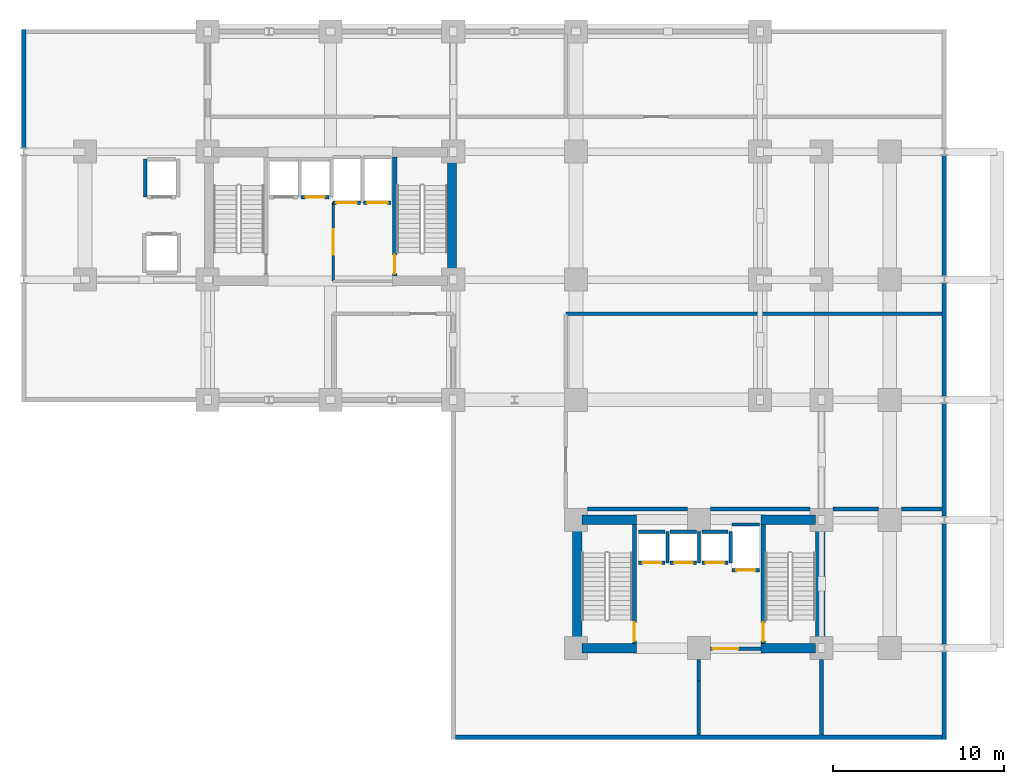
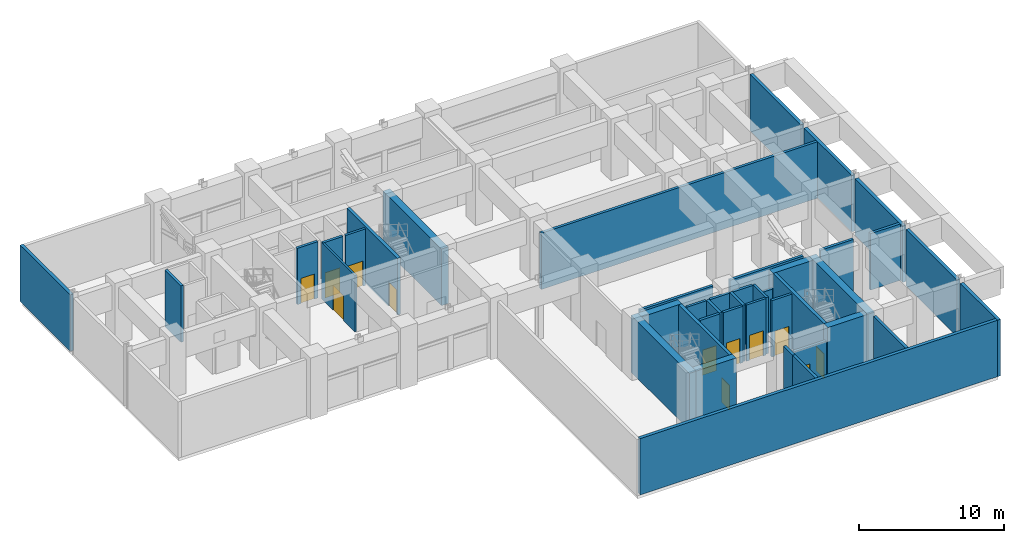
# One storey, part 4 of 8: 42 walls, 12 doors, 12 openings.
"""IFC4 building model written with IfcOpenShell, lengths in metres."""

import ifcopenshell
import ifcopenshell.guid

model = None  # the IFC model being written
_history = None  # IfcOwnerHistory: only IFC2X3 demands one
_inside = {}  # id of a spatial element -> (the spatial element, [elements in it])
_under = {}  # id of a project, library or spatial element -> (it, [spatial elements below it])
_declared = {}  # id of a project -> (the project, [libraries it declares])
_typed = {}  # id of a type object -> (the type object, [elements of that type])
_made_of = {}  # id of a material, layer set ... -> (it, [elements and type objects made of it])


def new_model(schema):
    """Start an empty IFC model of exactly this schema.

    Asked for "IFC4X3", IfcOpenShell would pick the latest addendum, in which some entities
    have other attributes; the version numbers below select the first issue.
    IFC2X3 requires an IfcOwnerHistory on every rooted entity: one is made here for all.
    """
    global model, _history
    if schema == "IFC4X3":
        model = ifcopenshell.file(schema_version=(4, 3, 0, 0))
    else:
        model = ifcopenshell.file(schema=schema)
    _inside.clear()
    _under.clear()
    _declared.clear()
    _typed.clear()
    _made_of.clear()
    _history = None
    if model.schema == "IFC2X3":
        org = make("IfcOrganization", Name="unknown")
        user = make(
            "IfcPersonAndOrganization",
            ThePerson=make("IfcPerson", FamilyName="unknown"),
            TheOrganization=org,
        )
        app = make(
            "IfcApplication",
            ApplicationDeveloper=org,
            Version="unknown",
            ApplicationFullName="unknown",
            ApplicationIdentifier="unknown",
        )
        _history = make(
            "IfcOwnerHistory",
            OwningUser=user,
            OwningApplication=app,
            ChangeAction="ADDED",
            CreationDate=0,
        )
    return model


def make(cls, **values):
    """One entity of the class cls with the attributes given. An attribute that is None is left unset."""
    return model.create_entity(
        cls, **{name: value for name, value in values.items() if value is not None}
    )


def rooted(cls, **values):
    """An entity with a GlobalId (a new one), such as an element, a storey or a relation."""
    return make(cls, GlobalId=ifcopenshell.guid.new(), OwnerHistory=_history, **values)


def si_unit(unit_type, name, prefix=None):
    """IfcSIUnit, for example si_unit("LENGTHUNIT", "METRE", prefix="MILLI")."""
    return make("IfcSIUnit", UnitType=unit_type, Prefix=prefix, Name=name)


def assignment(units):
    """IfcUnitAssignment: the units of a project."""
    return None if units is None else make("IfcUnitAssignment", Units=units)


def point(xyz):
    """IfcCartesianPoint."""
    return None if xyz is None else make("IfcCartesianPoint", Coordinates=xyz)


def direction(xyz):
    """IfcDirection."""
    return None if xyz is None else make("IfcDirection", DirectionRatios=xyz)


def frame(location, z_axis=None, x_axis=None):
    """IfcAxis2Placement3D, a coordinate frame: its origin and axes. An axis left out is left unset."""
    return make(
        "IfcAxis2Placement3D",
        Location=point(location),
        Axis=direction(z_axis),
        RefDirection=direction(x_axis),
    )


def frame_2d(location, x_axis=None):
    """IfcAxis2Placement2D, a coordinate frame in the plane: its origin and x axis."""
    return make(
        "IfcAxis2Placement2D", Location=point(location), RefDirection=direction(x_axis)
    )


def origin():
    """The frame at (0, 0, 0) with its axes left unset."""
    return frame((0.0, 0.0, 0.0))


def place(relative_to, where):
    """IfcLocalPlacement: puts the frame where relative to a parent placement (None: the world)."""
    return make(
        "IfcLocalPlacement", PlacementRelTo=relative_to, RelativePlacement=where
    )


def context(
    kind, dimensions, precision=None, world=None, true_north=None, identifier=None
):
    """IfcGeometricRepresentationContext, for example the 3D "Model" context."""
    return make(
        "IfcGeometricRepresentationContext",
        ContextIdentifier=identifier,
        ContextType=kind,
        CoordinateSpaceDimension=dimensions,
        Precision=precision,
        WorldCoordinateSystem=world,
        TrueNorth=true_north,
    )


def subcontext(parent, identifier, kind, view, scale=None):
    """IfcGeometricRepresentationSubContext, for example "Body" below "Model"."""
    return make(
        "IfcGeometricRepresentationSubContext",
        ContextIdentifier=identifier,
        ContextType=kind,
        ParentContext=parent,
        TargetScale=scale,
        TargetView=view,
    )


def project(units=None, contexts=None):
    """IfcProject with its units and contexts."""
    return rooted(
        "IfcProject",
        Name="project",
        RepresentationContexts=contexts,
        UnitsInContext=assignment(units),
    )


def spatial(cls, under=None, at=None, **own):
    """A site, building, storey or space (cls), placed at a placement, below another one or the project."""
    s = rooted(cls, ObjectPlacement=at, **own)
    if under is not None:
        _under.setdefault(under.id(), (under, []))[1].append(s)
    return s


def profile(cls, at=None, kind="AREA", **sizes):
    """A parametric profile (cls). Its sizes go by their IFC names, for example OverallWidth=200.0."""
    return make(cls, ProfileType=kind, Position=at, **sizes)


def rectangle(**sizes):
    """IfcRectangleProfileDef."""
    return profile("IfcRectangleProfileDef", **sizes)


def extrude(swept, where, along, depth):
    """IfcExtrudedAreaSolid: the profile swept, set in the frame where, extruded along a direction by depth."""
    return make(
        "IfcExtrudedAreaSolid",
        SweptArea=swept,
        Position=where,
        ExtrudedDirection=direction(along),
        Depth=depth,
    )


def shape(context_of_items, identifier, shape_type, items):
    """IfcShapeRepresentation: the items that make up one representation, for example the "Body"."""
    return make(
        "IfcShapeRepresentation",
        ContextOfItems=context_of_items,
        RepresentationIdentifier=identifier,
        RepresentationType=shape_type,
        Items=items,
    )


def material(Name=None, Category=None):
    """IfcMaterial."""
    return make("IfcMaterial", Name=Name, Category=Category)


def layer(
    of_material, thickness, ventilated=None, Name=None, Category=None, Priority=None
):
    """IfcMaterialLayer: one layer of a wall or slab, of a material (None: an air gap)."""
    return make(
        "IfcMaterialLayer",
        Material=of_material,
        LayerThickness=thickness,
        IsVentilated=ventilated,
        Name=Name,
        Category=Category,
        Priority=Priority,
    )


def layer_set(layers, Name=None):
    """IfcMaterialLayerSet."""
    return make("IfcMaterialLayerSet", MaterialLayers=layers, LayerSetName=Name)


def made_of(thing, what):
    """Note that an element or type object is made of a material, layer set ...; save() writes the relation."""
    if what is not None:
        _made_of.setdefault(what.id(), (what, []))[1].append(thing)
    return thing


def type_object(cls, material=None, **own):
    """A type object (cls), such as IfcWallType, which elements share."""
    return made_of(rooted(cls, **own), material)


def element(
    cls,
    number,
    at=None,
    inside=None,
    cuts=None,
    type_object=None,
    material=None,
    context=None,
    identifier="Body",
    shape_type=None,
    held_by="IfcProductDefinitionShape",
    body=None,
    shapes=None,
    **own,
):
    """One element of the class cls, such as IfcWall. Its Tag is "e" and its number.

    at: its placement. inside: the storey or other place that contains it. cuts: it is an
    opening in that element (IfcRelVoidsElement). A single representation is given by context,
    identifier, shape_type and body (its items); several are given by shapes. held_by: the class
    of the entity that holds the representations. save() writes the other relations.
    """
    e = rooted(cls, Tag="e%d" % number, ObjectPlacement=at, **own)
    if body is not None:
        shapes = [shape(context, identifier, shape_type, body)]
    if shapes is not None:
        e.Representation = make(held_by, Representations=shapes)
    if inside is not None:
        _inside.setdefault(inside.id(), (inside, []))[1].append(e)
    if cuts is not None:
        rooted(
            "IfcRelVoidsElement", RelatingBuildingElement=cuts, RelatedOpeningElement=e
        )
    if type_object is not None:
        _typed.setdefault(type_object.id(), (type_object, []))[1].append(e)
    return made_of(e, material)


def fill(opening, filler):
    """IfcRelFillsElement: the door or window that sits in an opening."""
    return rooted(
        "IfcRelFillsElement",
        RelatingOpeningElement=opening,
        RelatedBuildingElement=filler,
    )


def aggregate(whole, parts):
    """IfcRelAggregates: a whole, such as a stair, and the parts it consists of."""
    return rooted("IfcRelAggregates", RelatingObject=whole, RelatedObjects=parts)


def save(model, path):
    """Write the relations noted so far, then the file.

    IfcRelAggregates (storeys below a building ...), IfcRelContainedInSpatialStructure (elements
    in a storey), IfcRelDefinesByType, IfcRelAssociatesMaterial and IfcRelDeclares: one each for
    every whole, place, type object, material and project.
    """
    for whole, parts in _under.values():
        aggregate(whole, parts)
    for where, things in _inside.values():
        rooted(
            "IfcRelContainedInSpatialStructure",
            RelatedElements=things,
            RelatingStructure=where,
        )
    for kind, things in _typed.values():
        rooted("IfcRelDefinesByType", RelatedObjects=things, RelatingType=kind)
    for what, things in _made_of.values():
        rooted("IfcRelAssociatesMaterial", RelatedObjects=things, RelatingMaterial=what)
    for by, libraries in _declared.values():
        rooted("IfcRelDeclares", RelatingContext=by, RelatedDefinitions=libraries)
    model.write(path)


model = new_model("IFC4")

# Units and contexts
model_context = context("Model", 3, precision=1e-05, world=origin(), true_north=direction((0.0, 1.0)))
body_context = subcontext(model_context, "Body", "Model", "MODEL_VIEW")
ifc_project = project(units=[si_unit("LENGTHUNIT", "METRE"), si_unit("AREAUNIT", "SQUARE_METRE"), si_unit("VOLUMEUNIT", "CUBIC_METRE"), si_unit("PLANEANGLEUNIT", "RADIAN"), si_unit("MASSUNIT", "GRAM", prefix="KILO")], contexts=[model_context])

# Site, building, storey
site_placement = place(None, origin())
site = spatial("IfcSite", under=ifc_project, at=site_placement, CompositionType="ELEMENT")
building_placement = place(site_placement, origin())
building = spatial("IfcBuilding", under=site, at=building_placement, Name="Kaliganga Portal Commons", CompositionType="ELEMENT")
storey_placement = place(building_placement, frame((0.0, 0.0, 73.39990234375)))
storey = spatial("IfcBuildingStorey", under=building, at=storey_placement, Name="L18", CompositionType="ELEMENT", Elevation=73.39990234375)

# Walls
ifc_material_1 = material(Name="Concrete C60/75", Category="concrete")
ifc_layer_1 = layer(ifc_material_1, 0.550048828125)
ifc_layer_set_1 = layer_set([ifc_layer_1], Name="Concrete C60/75")
wall_type_1 = type_object("IfcWallType", Name="WL-CORE-550", PredefinedType="SHEAR", material=ifc_layer_set_1)
wall_1_placement = place(storey_placement, frame((28.72509765625, 28.300048828125, 0.0), z_axis=(0.0, 0.0, 1.0), x_axis=(0.0, 1.0, 0.0)))
element("IfcWall", 1, at=wall_1_placement, inside=storey, type_object=wall_type_1, Name="Core A East Shear Wall L18", PredefinedType="SHEAR", context=body_context, shape_type="SweptSolid", body=[
    extrude(rectangle(XDim=8.099853515625, YDim=0.550048828125, at=frame_2d((4.0498046875, 0.0))), origin(), (0.0, 0.0, 1.0), 4.780029296875),
])
for number, where, z_axis, x_axis, name in (
    (2, (36.074951171875, 6.75, 0.0), (0.0, 0.0, 1.0), (0.0, 1.0, 0.0), "Core B West Shear Wall L18"),
    (3, (50.324951171875, 6.75, 0.0), (0.0, 0.0, 1.0), (0.0, 1.0, 0.0), "Core B East Shear Wall L18"),
):
    element("IfcWall", number, at=place(storey_placement, frame(where, z_axis=z_axis, x_axis=x_axis)), inside=storey, type_object=wall_type_1, Name=name, PredefinedType="SHEAR", context=body_context, shape_type="SweptSolid", body=[
        extrude(rectangle(XDim=8.10009765625, YDim=0.550048828125, at=frame_2d((4.050048828125, 0.0))), origin(), (0.0, 0.0, 1.0), 4.780029296875),
    ])
for number, where, z_axis, x_axis, name in (
    (4, (36.35009765625, 7.02490234375, 0.0), (0.0, 0.0, 1.0), (1.0, 0.0, 0.0), "Core B S-West Shear Wall L18"),
    (5, (46.85009765625, 7.02490234375, 0.0), (0.0, 0.0, 1.0), (1.0, 0.0, 0.0), "Core B S-East Shear Wall L18"),
    (6, (36.35009765625, 14.574951171875, 0.0), (0.0, 0.0, 1.0), (1.0, 0.0, 0.0), "Core B N-West Shear Wall L18"),
    (7, (46.85009765625, 14.574951171875, 0.0), (0.0, 0.0, 1.0), (1.0, 0.0, 0.0), "Core B N-East Shear Wall L18"),
):
    element("IfcWall", number, at=place(storey_placement, frame(where, z_axis=z_axis, x_axis=x_axis)), inside=storey, type_object=wall_type_1, Name=name, PredefinedType="SHEAR", context=body_context, shape_type="SweptSolid", body=[
        extrude(rectangle(XDim=3.199951171875, YDim=0.550048828125, at=frame_2d((1.60009765625, 0.0))), origin(), (0.0, 0.0, 1.0), 4.780029296875),
    ])
ifc_material_2 = material(Name="Insulated Aluminium-Clad Spandrel Assembly", Category="aluminium")
ifc_layer_2 = layer(ifc_material_2, 0.260009765625)
ifc_layer_set_2 = layer_set([ifc_layer_2], Name="Insulated Aluminium-Clad Spandrel Assembly")
wall_type_2 = type_object("IfcWallType", Name="WL-EXT-SPAND-260", PredefinedType="STANDARD", material=ifc_layer_set_2)
wall_2_placement = place(storey_placement, frame((57.465087890625, 1.800048828125, 0.0), z_axis=(0.0, 0.0, 1.0), x_axis=(-1.0, 0.0, 0.0)))
element("IfcWall", 8, at=wall_2_placement, inside=storey, type_object=wall_type_2, Name="Exterior Envelope Wall L18 P1-E00-S1", PredefinedType="STANDARD", context=body_context, shape_type="SweptSolid", body=[
    extrude(rectangle(XDim=28.530029296875, YDim=0.260009765625, at=frame_2d((14.26513671875, 0.0))), origin(), (0.0, 0.0, 1.0), 4.760009765625),
])
wall_3_placement = place(storey_placement, frame((57.60009765625, 6.825927734375, 0.0), z_axis=(0.0, 0.0, 1.0), x_axis=(0.0, -1.0, 0.0)))
element("IfcWall", 9, at=wall_3_placement, inside=storey, type_object=wall_type_2, Name="Exterior Envelope Wall L18 P1-E01-S1", PredefinedType="STANDARD", context=body_context, shape_type="SweptSolid", body=[
    extrude(rectangle(XDim=5.156005859375, YDim=0.260009765625, at=frame_2d((2.578125, 0.0))), origin(), (0.0, 0.0, 1.0), 4.760009765625),
])
wall_4_placement = place(storey_placement, frame((57.60009765625, 14.325927734375, 0.0), z_axis=(0.0, 0.0, 1.0), x_axis=(0.0, -1.0, 0.0)))
element("IfcWall", 10, at=wall_4_placement, inside=storey, type_object=wall_type_2, Name="Exterior Envelope Wall L18 P1-E01-S2", PredefinedType="STANDARD", context=body_context, shape_type="SweptSolid", body=[
    extrude(rectangle(XDim=7.052001953125, YDim=0.260009765625, at=frame_2d((3.52587890625, 0.0))), origin(), (0.0, 0.0, 1.0), 4.760009765625),
])
for number, where, z_axis, x_axis, name in (
    (11, (57.60009765625, 21.3759765625, 0.0), (0.0, 0.0, 1.0), (0.0, -1.0, 0.0), "Exterior Envelope Wall L18 P1-E01-S3"),
    (12, (57.60009765625, 28.426025390625, 0.0), (0.0, 0.0, 1.0), (0.0, -1.0, 0.0), "Exterior Envelope Wall L18 P1-E01-S4"),
):
    element("IfcWall", number, at=place(storey_placement, frame(where, z_axis=z_axis, x_axis=x_axis)), inside=storey, type_object=wall_type_2, Name=name, PredefinedType="STANDARD", context=body_context, shape_type="SweptSolid", body=[
        extrude(rectangle(XDim=6.60205078125, YDim=0.260009765625, at=frame_2d((3.301025390625, 0.0))), origin(), (0.0, 0.0, 1.0), 4.760009765625),
    ])
wall_5_placement = place(storey_placement, frame((57.60009765625, 35.926025390625, 0.0), z_axis=(0.0, 0.0, 1.0), x_axis=(0.0, -1.0, 0.0)))
element("IfcWall", 13, at=wall_5_placement, inside=storey, type_object=wall_type_2, Name="Exterior Envelope Wall L18 P1-E01-S5", PredefinedType="STANDARD", context=body_context, shape_type="SweptSolid", body=[
    extrude(rectangle(XDim=7.052001953125, YDim=0.260009765625, at=frame_2d((3.52587890625, 0.0))), origin(), (0.0, 0.0, 1.0), 4.760009765625),
])
wall_6_placement = place(storey_placement, frame((3.60009765625, 36.3740234375, 0.0), z_axis=(0.0, 0.0, 1.0), x_axis=(0.0, 1.0, 0.0)))
element("IfcWall", 14, at=wall_6_placement, inside=storey, type_object=wall_type_2, Name="Exterior Envelope Wall L18 P1-E03-S1", PredefinedType="STANDARD", context=body_context, shape_type="SweptSolid", body=[
    extrude(rectangle(XDim=6.9560546875, YDim=0.260009765625, at=frame_2d((3.47802734375, 0.0))), origin(), (0.0, 0.0, 1.0), 4.760009765625),
])

# Wall, opening, door
ifc_material_3 = material(Name="Fire-Rated Gypsum Board on Steel Stud", Category="steel")
ifc_layer_3 = layer(ifc_material_3, 0.14990234375)
ifc_layer_set_3 = layer_set([ifc_layer_3], Name="Fire-Rated Gypsum Board on Steel Stud")
wall_type_3 = type_object("IfcWallType", Name="WL-PART-CORR-150", PredefinedType="PARTITIONING", material=ifc_layer_set_3)
wall_7_placement = place(storey_placement, frame((21.760009765625, 28.56005859375, 0.0), z_axis=(0.0, 0.0, 1.0), x_axis=(0.0, 1.0, 0.0)))
wall_7 = element("IfcWall", 15, at=wall_7_placement, inside=storey, type_object=wall_type_3, Name="Interior Partition L18-019", PredefinedType="PARTITIONING", context=body_context, shape_type="SweptSolid", body=[
    extrude(rectangle(XDim=4.599853515625, YDim=0.14990234375, at=frame_2d((2.2998046875, 0.0))), origin(), (0.0, 0.0, 1.0), 4.760009765625),
])
opening_1_placement = place(wall_7_placement, frame((1.550048828125, 0.0, 0.0)))
opening_1 = element("IfcOpeningElement", 16, at=opening_1_placement, cuts=wall_7, Name="Opening FD-01", PredefinedType="OPENING", context=body_context, shape_type="SweptSolid", body=[
    extrude(rectangle(XDim=1.5, YDim=2.10009765625, at=frame_2d((0.75, 1.050048828125))), frame((0.0, 0.0849609375, 0.0), z_axis=(0.0, -1.0, 0.0), x_axis=(1.0, 0.0, 0.0)), (0.0, 0.0, 1.0), 0.169921875),
])
ifc_material_4 = material(Name="Fire-Rated Hardwood and Georgian-Wired Vision Panel", Category="wood")
door_type_1 = type_object("IfcDoorType", Name="DR-LOBBY-1500", OperationType="DOUBLE_DOOR_SINGLE_SWING", PredefinedType="DOOR", material=ifc_material_4)
door_1_placement = place(opening_1_placement, origin())
door_1 = element("IfcDoor", 17, at=door_1_placement, inside=storey, type_object=door_type_1, Name="Interior Door L18-FFLOB_A", OperationType="DOUBLE_DOOR_SINGLE_SWING", OverallHeight=2.10009765625, OverallWidth=1.5, PredefinedType="DOOR", context=body_context, shape_type="SweptSolid", body=[
    extrude(rectangle(XDim=1.5, YDim=2.10009765625, at=frame_2d((0.75, 1.050048828125))), frame((0.0, 0.02490234375, 0.0), z_axis=(0.0, -1.0, 0.0), x_axis=(1.0, 0.0, 0.0)), (0.0, 0.0, 1.0), 0.050048828125),
])
fill(opening_1, door_1)

ifc_material_5 = material(Name="Lightweight blockwork masonry", Category="masonry")
ifc_layer_4 = layer(ifc_material_5, 0.215087890625)
ifc_layer_set_4 = layer_set([ifc_layer_4], Name="Lightweight blockwork masonry")
wall_type_4 = type_object("IfcWallType", Name="WL-PART-PLANT-215", PredefinedType="PARTITIONING", material=ifc_layer_set_4)
wall_8_placement = place(storey_placement, frame((43.875, 7.0, 0.0), z_axis=(0.0, 0.0, 1.0), x_axis=(1.0, 0.0, 0.0)))
wall_8 = element("IfcWall", 18, at=wall_8_placement, inside=storey, type_object=wall_type_4, Name="Interior Partition L18-001", PredefinedType="PARTITIONING", context=body_context, shape_type="SweptSolid", body=[
    extrude(rectangle(XDim=2.965087890625, YDim=0.215087890625, at=frame_2d((1.482421875, 0.0))), origin(), (0.0, 0.0, 1.0), 3.56005859375),
])
opening_2_placement = place(wall_8_placement, frame((0.139404296875, 0.0, 0.0)))
opening_2 = element("IfcOpeningElement", 19, at=opening_2_placement, cuts=wall_8, Name="Opening FD-01", PredefinedType="OPENING", context=body_context, shape_type="SweptSolid", body=[
    extrude(rectangle(XDim=1.5, YDim=2.10009765625, at=frame_2d((0.75, 1.050048828125))), frame((0.0, 0.11767578125, 0.0), z_axis=(0.0, -1.0, 0.0), x_axis=(1.0, 0.0, 0.0)), (0.0, 0.0, 1.0), 0.235107421875),
])
door_2_placement = place(opening_2_placement, origin())
door_2 = element("IfcDoor", 20, at=door_2_placement, inside=storey, type_object=door_type_1, Name="Interior Door L18-REFB", OperationType="DOUBLE_DOOR_SINGLE_SWING", OverallHeight=2.10009765625, OverallWidth=1.5, PredefinedType="DOOR", context=body_context, shape_type="SweptSolid", body=[
    extrude(rectangle(XDim=1.5, YDim=2.10009765625, at=frame_2d((0.75, 1.050048828125))), frame((0.0, 0.02490234375, 0.0), z_axis=(0.0, -1.0, 0.0), x_axis=(1.0, 0.0, 0.0)), (0.0, 0.0, 1.0), 0.050048828125),
])
fill(opening_2, door_2)

# Walls
wall_9_placement = place(storey_placement, frame((43.199951171875, 5.10009765625, 0.0), z_axis=(0.0, 0.0, 1.0), x_axis=(0.0, 1.0, 0.0)))
element("IfcWall", 21, at=wall_9_placement, inside=storey, type_object=wall_type_4, Name="Interior Partition L18-007", PredefinedType="PARTITIONING", context=body_context, shape_type="SweptSolid", body=[
    extrude(rectangle(XDim=1.27490234375, YDim=0.215087890625, at=frame_2d((0.637451171875, 0.0))), origin(), (0.0, 0.0, 1.0), 4.760009765625),
])
wall_10_placement = place(storey_placement, frame((36.675048828125, 15.199951171875, 0.0), z_axis=(0.0, 0.0, 1.0), x_axis=(1.0, 0.0, 0.0)))
element("IfcWall", 22, at=wall_10_placement, inside=storey, type_object=wall_type_4, Name="Interior Partition L18-008", PredefinedType="PARTITIONING", context=body_context, shape_type="SweptSolid", body=[
    extrude(rectangle(XDim=5.849853515625, YDim=0.215087890625, at=frame_2d((2.9248046875, 0.0))), origin(), (0.0, 0.0, 1.0), 4.760009765625),
])
wall_11_placement = place(storey_placement, frame((43.875, 15.199951171875, 0.0), z_axis=(0.0, 0.0, 1.0), x_axis=(1.0, 0.0, 0.0)))
element("IfcWall", 23, at=wall_11_placement, inside=storey, type_object=wall_type_4, Name="Interior Partition L18-009", PredefinedType="PARTITIONING", context=body_context, shape_type="SweptSolid", body=[
    extrude(rectangle(XDim=5.85009765625, YDim=0.215087890625, at=frame_2d((2.925048828125, 0.0))), origin(), (0.0, 0.0, 1.0), 4.760009765625),
])
wall_12_placement = place(storey_placement, frame((51.074951171875, 15.199951171875, 0.0), z_axis=(0.0, 0.0, 1.0), x_axis=(1.0, 0.0, 0.0)))
element("IfcWall", 24, at=wall_12_placement, inside=storey, type_object=wall_type_4, Name="Interior Partition L18-010", PredefinedType="PARTITIONING", context=body_context, shape_type="SweptSolid", body=[
    extrude(rectangle(XDim=2.650146484375, YDim=0.215087890625, at=frame_2d((1.3251953125, 0.0))), origin(), (0.0, 0.0, 1.0), 4.760009765625),
])
wall_13_placement = place(storey_placement, frame((55.074951171875, 15.199951171875, 0.0), z_axis=(0.0, 0.0, 1.0), x_axis=(1.0, 0.0, 0.0)))
element("IfcWall", 25, at=wall_13_placement, inside=storey, type_object=wall_type_4, Name="Interior Partition L18-011", PredefinedType="PARTITIONING", context=body_context, shape_type="SweptSolid", body=[
    extrude(rectangle(XDim=2.39306640625, YDim=0.215087890625, at=frame_2d((1.196533203125, 0.0))), origin(), (0.0, 0.0, 1.0), 4.760009765625),
])
wall_14_placement = place(storey_placement, frame((35.39990234375, 26.639892578125, 0.0), z_axis=(0.0, 0.0, 1.0), x_axis=(1.0, 0.0, 0.0)))
element("IfcWall", 26, at=wall_14_placement, inside=storey, type_object=wall_type_4, Name="Interior Partition L18-012", PredefinedType="PARTITIONING", context=body_context, shape_type="SweptSolid", body=[
    extrude(rectangle(XDim=22.068115234375, YDim=0.215087890625, at=frame_2d((11.0341796875, 0.0))), origin(), (0.0, 0.0, 1.0), 4.760009765625),
])
wall_15_placement = place(storey_placement, frame((50.39990234375, 1.931884765625, 0.0), z_axis=(0.0, 0.0, 1.0), x_axis=(0.0, 1.0, 0.0)))
element("IfcWall", 27, at=wall_15_placement, inside=storey, type_object=wall_type_4, Name="Interior Partition L18-014", PredefinedType="PARTITIONING", context=body_context, shape_type="SweptSolid", body=[
    extrude(rectangle(XDim=4.443115234375, YDim=0.215087890625, at=frame_2d((2.2216796875, 0.0))), origin(), (0.0, 0.0, 1.0), 4.760009765625),
])
wall_16_placement = place(storey_placement, frame((43.199951171875, 1.931884765625, 0.0), z_axis=(0.0, 0.0, 1.0), x_axis=(0.0, 1.0, 0.0)))
element("IfcWall", 28, at=wall_16_placement, inside=storey, type_object=wall_type_4, Name="Interior Partition L18-022", PredefinedType="PARTITIONING", context=body_context, shape_type="SweptSolid", body=[
    extrude(rectangle(XDim=3.168212890625, YDim=0.215087890625, at=frame_2d((1.583984375, 0.0))), origin(), (0.0, 0.0, 1.0), 4.760009765625),
])

# Wall, opening, door
ifc_material_6 = material(Name="Fire-Rated Shaftwall Masonry Assembly", Category="masonry")
ifc_layer_5 = layer(ifc_material_6, 0.199951171875)
ifc_layer_set_5 = layer_set([ifc_layer_5], Name="Fire-Rated Shaftwall Masonry Assembly")
wall_type_5 = type_object("IfcWallType", Name="WL-SHAFT-200", PredefinedType="PARTITIONING", material=ifc_layer_set_5)
wall_17_placement = place(storey_placement, frame((19.875, 33.485107421875, 0.0), z_axis=(0.0, 0.0, 1.0), x_axis=(1.0, 0.0, 0.0)))
wall_17 = element("IfcWall", 29, at=wall_17_placement, inside=storey, type_object=wall_type_5, Name="Lift PL-A2 Hoistway Shaft Wall L18-S", PredefinedType="PARTITIONING", context=body_context, shape_type="SweptSolid", body=[
    extrude(rectangle(XDim=1.64990234375, YDim=0.199951171875, at=frame_2d((0.824951171875, 0.0))), origin(), (0.0, 0.0, 1.0), 4.760009765625),
])
opening_3_placement = place(wall_17_placement, frame((0.27490234375, 0.0, 0.0)))
opening_3 = element("IfcOpeningElement", 30, at=opening_3_placement, cuts=wall_17, Name="Opening LD-01", PredefinedType="OPENING", context=body_context, shape_type="SweptSolid", body=[
    extrude(rectangle(XDim=1.10009765625, YDim=2.1201171875, at=frame_2d((0.550048828125, 1.06005859375))), frame((0.0, 0.10986328125, 0.0), z_axis=(0.0, -1.0, 0.0), x_axis=(1.0, 0.0, 0.0)), (0.0, 0.0, 1.0), 0.219970703125),
])
ifc_material_7 = material(Name="Brushed Stainless Steel 316 Lift Landing Door", Category="steel")
door_type_2 = type_object("IfcDoorType", Name="DR-LIFT-1100", OperationType="SLIDING_TO_LEFT", PredefinedType="DOOR", material=ifc_material_7)
door_3_placement = place(opening_3_placement, origin())
door_3 = element("IfcDoor", 31, at=door_3_placement, inside=storey, type_object=door_type_2, Name="Lift PL-A2 Sliding Landing Door L18", OperationType="SLIDING_TO_LEFT", OverallHeight=2.1201171875, OverallWidth=1.10009765625, PredefinedType="DOOR", context=body_context, shape_type="SweptSolid", body=[
    extrude(rectangle(XDim=1.10009765625, YDim=2.1201171875, at=frame_2d((0.550048828125, 1.06005859375))), frame((0.0, 0.02490234375, 0.0), z_axis=(0.0, -1.0, 0.0), x_axis=(1.0, 0.0, 0.0)), (0.0, 0.0, 1.0), 0.050048828125),
])
fill(opening_3, door_3)

# Wall
wall_18_placement = place(storey_placement, frame((10.735107421875, 33.485107421875, 0.0), z_axis=(0.0, 0.0, 1.0), x_axis=(0.0, 1.0, 0.0)))
element("IfcWall", 32, at=wall_18_placement, inside=storey, type_object=wall_type_5, Name="Lift PL-OBS Hoistway Shaft Wall L18-W", PredefinedType="PARTITIONING", context=body_context, shape_type="SweptSolid", body=[
    extrude(rectangle(XDim=2.22998046875, YDim=0.199951171875, at=frame_2d((1.114990234375, 0.0))), origin(), (0.0, 0.0, 1.0), 4.760009765625),
])

# Wall, opening, door
wall_19_placement = place(storey_placement, frame((21.75, 33.159912109375, 0.0), z_axis=(0.0, 0.0, 1.0), x_axis=(1.0, 0.0, 0.0)))
wall_19 = element("IfcWall", 33, at=wall_19_placement, inside=storey, type_object=wall_type_5, Name="Lift FFL-1 Hoistway Shaft Wall L18-S", PredefinedType="PARTITIONING", context=body_context, shape_type="SweptSolid", body=[
    extrude(rectangle(XDim=1.60009765625, YDim=0.199951171875, at=frame_2d((0.800048828125, 0.0))), origin(), (0.0, 0.0, 1.0), 4.760009765625),
])
opening_4_placement = place(wall_19_placement, frame((0.199951171875, 0.0, 0.0)))
opening_4 = element("IfcOpeningElement", 34, at=opening_4_placement, cuts=wall_19, Name="Opening LD-02", PredefinedType="OPENING", context=body_context, shape_type="SweptSolid", body=[
    extrude(rectangle(XDim=1.199951171875, YDim=2.1201171875, at=frame_2d((0.60009765625, 1.06005859375))), frame((0.0, 0.10986328125, 0.0), z_axis=(0.0, -1.0, 0.0), x_axis=(1.0, 0.0, 0.0)), (0.0, 0.0, 1.0), 0.219970703125),
])
ifc_material_8 = material(Name="Brushed Stainless Steel 316 Stretcher Lift Landing Door", Category="steel")
door_type_3 = type_object("IfcDoorType", Name="DR-LIFT-1200", OperationType="SLIDING_TO_RIGHT", PredefinedType="DOOR", material=ifc_material_8)
door_4_placement = place(opening_4_placement, origin())
door_4 = element("IfcDoor", 35, at=door_4_placement, inside=storey, type_object=door_type_3, Name="Lift FFL-1 Sliding Landing Door L18", OperationType="SLIDING_TO_RIGHT", OverallHeight=2.1201171875, OverallWidth=1.199951171875, PredefinedType="DOOR", context=body_context, shape_type="SweptSolid", body=[
    extrude(rectangle(XDim=1.199951171875, YDim=2.1201171875, at=frame_2d((0.60009765625, 1.06005859375))), frame((0.0, 0.02490234375, 0.0), z_axis=(0.0, -1.0, 0.0), x_axis=(1.0, 0.0, 0.0)), (0.0, 0.0, 1.0), 0.050048828125),
])
fill(opening_4, door_4)

wall_20_placement = place(storey_placement, frame((23.550048828125, 33.159912109375, 0.0), z_axis=(0.0, 0.0, 1.0), x_axis=(1.0, 0.0, 0.0)))
wall_20 = element("IfcWall", 36, at=wall_20_placement, inside=storey, type_object=wall_type_5, Name="Lift FFL-2 Hoistway Shaft Wall L18-S", PredefinedType="PARTITIONING", context=body_context, shape_type="SweptSolid", body=[
    extrude(rectangle(XDim=1.599853515625, YDim=0.199951171875, at=frame_2d((0.7998046875, 0.0))), origin(), (0.0, 0.0, 1.0), 4.760009765625),
])
opening_5_placement = place(wall_20_placement, frame((0.199951171875, 0.0, 0.0)))
opening_5 = element("IfcOpeningElement", 37, at=opening_5_placement, cuts=wall_20, Name="Opening LD-02", PredefinedType="OPENING", context=body_context, shape_type="SweptSolid", body=[
    extrude(rectangle(XDim=1.199951171875, YDim=2.1201171875, at=frame_2d((0.60009765625, 1.06005859375))), frame((0.0, 0.10986328125, 0.0), z_axis=(0.0, -1.0, 0.0), x_axis=(1.0, 0.0, 0.0)), (0.0, 0.0, 1.0), 0.219970703125),
])
door_5_placement = place(opening_5_placement, origin())
door_5 = element("IfcDoor", 38, at=door_5_placement, inside=storey, type_object=door_type_3, Name="Lift FFL-2 Sliding Landing Door L18", OperationType="SLIDING_TO_RIGHT", OverallHeight=2.1201171875, OverallWidth=1.199951171875, PredefinedType="DOOR", context=body_context, shape_type="SweptSolid", body=[
    extrude(rectangle(XDim=1.199951171875, YDim=2.1201171875, at=frame_2d((0.60009765625, 1.06005859375))), frame((0.0, 0.02490234375, 0.0), z_axis=(0.0, -1.0, 0.0), x_axis=(1.0, 0.0, 0.0)), (0.0, 0.0, 1.0), 0.050048828125),
])
fill(opening_5, door_5)

wall_21_placement = place(storey_placement, frame((39.675048828125, 12.034912109375, 0.0), z_axis=(0.0, 0.0, 1.0), x_axis=(1.0, 0.0, 0.0)))
wall_21 = element("IfcWall", 39, at=wall_21_placement, inside=storey, type_object=wall_type_5, Name="Lift PL-B1 Hoistway Shaft Wall L18-S", PredefinedType="PARTITIONING", context=body_context, shape_type="SweptSolid", body=[
    extrude(rectangle(XDim=1.550048828125, YDim=0.199951171875, at=frame_2d((0.77490234375, 0.0))), origin(), (0.0, 0.0, 1.0), 4.760009765625),
])
opening_6_placement = place(wall_21_placement, frame((0.22509765625, 0.0, 0.0)))
opening_6 = element("IfcOpeningElement", 40, at=opening_6_placement, cuts=wall_21, Name="Opening LD-01", PredefinedType="OPENING", context=body_context, shape_type="SweptSolid", body=[
    extrude(rectangle(XDim=1.10009765625, YDim=2.1201171875, at=frame_2d((0.550048828125, 1.06005859375))), frame((0.0, 0.10986328125, 0.0), z_axis=(0.0, -1.0, 0.0), x_axis=(1.0, 0.0, 0.0)), (0.0, 0.0, 1.0), 0.219970703125),
])
door_6_placement = place(opening_6_placement, origin())
door_6 = element("IfcDoor", 41, at=door_6_placement, inside=storey, type_object=door_type_2, Name="Lift PL-B1 Sliding Landing Door L18", OperationType="SLIDING_TO_LEFT", OverallHeight=2.1201171875, OverallWidth=1.10009765625, PredefinedType="DOOR", context=body_context, shape_type="SweptSolid", body=[
    extrude(rectangle(XDim=1.10009765625, YDim=2.1201171875, at=frame_2d((0.550048828125, 1.06005859375))), frame((0.0, 0.02490234375, 0.0), z_axis=(0.0, -1.0, 0.0), x_axis=(1.0, 0.0, 0.0)), (0.0, 0.0, 1.0), 0.050048828125),
])
fill(opening_6, door_6)

# Walls
wall_22_placement = place(storey_placement, frame((39.675048828125, 13.864990234375, 0.0), z_axis=(0.0, 0.0, 1.0), x_axis=(1.0, 0.0, 0.0)))
element("IfcWall", 42, at=wall_22_placement, inside=storey, type_object=wall_type_5, Name="Lift PL-B1 Hoistway Shaft Wall L18-N", PredefinedType="PARTITIONING", context=body_context, shape_type="SweptSolid", body=[
    extrude(rectangle(XDim=1.550048828125, YDim=0.199951171875, at=frame_2d((0.77490234375, 0.0))), origin(), (0.0, 0.0, 1.0), 4.760009765625),
])
wall_23_placement = place(storey_placement, frame((41.364990234375, 12.034912109375, 0.0), z_axis=(0.0, 0.0, 1.0), x_axis=(0.0, 1.0, 0.0)))
element("IfcWall", 43, at=wall_23_placement, inside=storey, type_object=wall_type_5, Name="Lift PL-B1 Hoistway Shaft Wall L18-E", PredefinedType="PARTITIONING", context=body_context, shape_type="SweptSolid", body=[
    extrude(rectangle(XDim=1.830078125, YDim=0.199951171875, at=frame_2d((0.9150390625, 0.0))), origin(), (0.0, 0.0, 1.0), 4.760009765625),
])

# Wall, opening, door
wall_24_placement = place(storey_placement, frame((41.52490234375, 12.034912109375, 0.0), z_axis=(0.0, 0.0, 1.0), x_axis=(1.0, 0.0, 0.0)))
wall_24 = element("IfcWall", 44, at=wall_24_placement, inside=storey, type_object=wall_type_5, Name="Lift PL-B2 Hoistway Shaft Wall L18-S", PredefinedType="PARTITIONING", context=body_context, shape_type="SweptSolid", body=[
    extrude(rectangle(XDim=1.550048828125, YDim=0.199951171875, at=frame_2d((0.77490234375, 0.0))), origin(), (0.0, 0.0, 1.0), 4.760009765625),
])
opening_7_placement = place(wall_24_placement, frame((0.22509765625, 0.0, 0.0)))
opening_7 = element("IfcOpeningElement", 45, at=opening_7_placement, cuts=wall_24, Name="Opening LD-01", PredefinedType="OPENING", context=body_context, shape_type="SweptSolid", body=[
    extrude(rectangle(XDim=1.10009765625, YDim=2.1201171875, at=frame_2d((0.550048828125, 1.06005859375))), frame((0.0, 0.10986328125, 0.0), z_axis=(0.0, -1.0, 0.0), x_axis=(1.0, 0.0, 0.0)), (0.0, 0.0, 1.0), 0.219970703125),
])
door_7_placement = place(opening_7_placement, origin())
door_7 = element("IfcDoor", 46, at=door_7_placement, inside=storey, type_object=door_type_2, Name="Lift PL-B2 Sliding Landing Door L18", OperationType="SLIDING_TO_LEFT", OverallHeight=2.1201171875, OverallWidth=1.10009765625, PredefinedType="DOOR", context=body_context, shape_type="SweptSolid", body=[
    extrude(rectangle(XDim=1.10009765625, YDim=2.1201171875, at=frame_2d((0.550048828125, 1.06005859375))), frame((0.0, 0.02490234375, 0.0), z_axis=(0.0, -1.0, 0.0), x_axis=(1.0, 0.0, 0.0)), (0.0, 0.0, 1.0), 0.050048828125),
])
fill(opening_7, door_7)

# Walls
wall_25_placement = place(storey_placement, frame((41.52490234375, 13.864990234375, 0.0), z_axis=(0.0, 0.0, 1.0), x_axis=(1.0, 0.0, 0.0)))
element("IfcWall", 47, at=wall_25_placement, inside=storey, type_object=wall_type_5, Name="Lift PL-B2 Hoistway Shaft Wall L18-N", PredefinedType="PARTITIONING", context=body_context, shape_type="SweptSolid", body=[
    extrude(rectangle(XDim=1.550048828125, YDim=0.199951171875, at=frame_2d((0.77490234375, 0.0))), origin(), (0.0, 0.0, 1.0), 4.760009765625),
])
wall_26_placement = place(storey_placement, frame((43.215087890625, 12.034912109375, 0.0), z_axis=(0.0, 0.0, 1.0), x_axis=(0.0, 1.0, 0.0)))
element("IfcWall", 48, at=wall_26_placement, inside=storey, type_object=wall_type_5, Name="Lift PL-B2 Hoistway Shaft Wall L18-E", PredefinedType="PARTITIONING", context=body_context, shape_type="SweptSolid", body=[
    extrude(rectangle(XDim=1.830078125, YDim=0.199951171875, at=frame_2d((0.9150390625, 0.0))), origin(), (0.0, 0.0, 1.0), 4.760009765625),
])

# Wall, opening, door
wall_27_placement = place(storey_placement, frame((43.375, 12.034912109375, 0.0), z_axis=(0.0, 0.0, 1.0), x_axis=(1.0, 0.0, 0.0)))
wall_27 = element("IfcWall", 49, at=wall_27_placement, inside=storey, type_object=wall_type_5, Name="Lift SH-2 Hoistway Shaft Wall L18-S", PredefinedType="PARTITIONING", context=body_context, shape_type="SweptSolid", body=[
    extrude(rectangle(XDim=1.550048828125, YDim=0.199951171875, at=frame_2d((0.77490234375, 0.0))), origin(), (0.0, 0.0, 1.0), 4.760009765625),
])
opening_8_placement = place(wall_27_placement, frame((0.22509765625, 0.0, 0.0)))
opening_8 = element("IfcOpeningElement", 50, at=opening_8_placement, cuts=wall_27, Name="Opening LD-01", PredefinedType="OPENING", context=body_context, shape_type="SweptSolid", body=[
    extrude(rectangle(XDim=1.10009765625, YDim=2.1201171875, at=frame_2d((0.550048828125, 1.06005859375))), frame((0.0, 0.10986328125, 0.0), z_axis=(0.0, -1.0, 0.0), x_axis=(1.0, 0.0, 0.0)), (0.0, 0.0, 1.0), 0.219970703125),
])
door_8_placement = place(opening_8_placement, origin())
door_8 = element("IfcDoor", 51, at=door_8_placement, inside=storey, type_object=door_type_2, Name="Lift SH-2 Sliding Landing Door L18", OperationType="SLIDING_TO_LEFT", OverallHeight=2.1201171875, OverallWidth=1.10009765625, PredefinedType="DOOR", context=body_context, shape_type="SweptSolid", body=[
    extrude(rectangle(XDim=1.10009765625, YDim=2.1201171875, at=frame_2d((0.550048828125, 1.06005859375))), frame((0.0, 0.02490234375, 0.0), z_axis=(0.0, -1.0, 0.0), x_axis=(1.0, 0.0, 0.0)), (0.0, 0.0, 1.0), 0.050048828125),
])
fill(opening_8, door_8)

# Walls
wall_28_placement = place(storey_placement, frame((43.375, 13.864990234375, 0.0), z_axis=(0.0, 0.0, 1.0), x_axis=(1.0, 0.0, 0.0)))
element("IfcWall", 52, at=wall_28_placement, inside=storey, type_object=wall_type_5, Name="Lift SH-2 Hoistway Shaft Wall L18-N", PredefinedType="PARTITIONING", context=body_context, shape_type="SweptSolid", body=[
    extrude(rectangle(XDim=1.550048828125, YDim=0.199951171875, at=frame_2d((0.77490234375, 0.0))), origin(), (0.0, 0.0, 1.0), 4.760009765625),
])
wall_29_placement = place(storey_placement, frame((45.06494140625, 12.034912109375, 0.0), z_axis=(0.0, 0.0, 1.0), x_axis=(0.0, 1.0, 0.0)))
element("IfcWall", 53, at=wall_29_placement, inside=storey, type_object=wall_type_5, Name="Lift SH-2 Hoistway Shaft Wall L18-E", PredefinedType="PARTITIONING", context=body_context, shape_type="SweptSolid", body=[
    extrude(rectangle(XDim=1.830078125, YDim=0.199951171875, at=frame_2d((0.9150390625, 0.0))), origin(), (0.0, 0.0, 1.0), 4.760009765625),
])

# Wall, opening, door
wall_30_placement = place(storey_placement, frame((45.14990234375, 11.610107421875, 0.0), z_axis=(0.0, 0.0, 1.0), x_axis=(1.0, 0.0, 0.0)))
wall_30 = element("IfcWall", 54, at=wall_30_placement, inside=storey, type_object=wall_type_5, Name="Lift SL-B1 Hoistway Shaft Wall L18-S", PredefinedType="PARTITIONING", context=body_context, shape_type="SweptSolid", body=[
    extrude(rectangle(XDim=1.60009765625, YDim=0.199951171875, at=frame_2d((0.800048828125, 0.0))), origin(), (0.0, 0.0, 1.0), 4.760009765625),
])
opening_9_placement = place(wall_30_placement, frame((0.25, 0.0, 0.0)))
opening_9 = element("IfcOpeningElement", 55, at=opening_9_placement, cuts=wall_30, Name="Opening LD-01", PredefinedType="OPENING", context=body_context, shape_type="SweptSolid", body=[
    extrude(rectangle(XDim=1.10009765625, YDim=2.1201171875, at=frame_2d((0.550048828125, 1.06005859375))), frame((0.0, 0.10986328125, 0.0), z_axis=(0.0, -1.0, 0.0), x_axis=(1.0, 0.0, 0.0)), (0.0, 0.0, 1.0), 0.219970703125),
])
door_9_placement = place(opening_9_placement, origin())
door_9 = element("IfcDoor", 56, at=door_9_placement, inside=storey, type_object=door_type_2, Name="Lift SL-B1 Sliding Landing Door L18", OperationType="SLIDING_TO_LEFT", OverallHeight=2.1201171875, OverallWidth=1.10009765625, PredefinedType="DOOR", context=body_context, shape_type="SweptSolid", body=[
    extrude(rectangle(XDim=1.10009765625, YDim=2.1201171875, at=frame_2d((0.550048828125, 1.06005859375))), frame((0.0, 0.02490234375, 0.0), z_axis=(0.0, -1.0, 0.0), x_axis=(1.0, 0.0, 0.0)), (0.0, 0.0, 1.0), 0.050048828125),
])
fill(opening_9, door_9)

# Wall
wall_31_placement = place(storey_placement, frame((45.14990234375, 14.2900390625, 0.0), z_axis=(0.0, 0.0, 1.0), x_axis=(1.0, 0.0, 0.0)))
element("IfcWall", 57, at=wall_31_placement, inside=storey, type_object=wall_type_5, Name="Lift SL-B1 Hoistway Shaft Wall L18-N", PredefinedType="PARTITIONING", context=body_context, shape_type="SweptSolid", body=[
    extrude(rectangle(XDim=1.60009765625, YDim=0.199951171875, at=frame_2d((0.800048828125, 0.0))), origin(), (0.0, 0.0, 1.0), 3.56005859375),
])

# Wall, opening, door
ifc_material_9 = material(Name="Concrete C50/60", Category="concrete")
ifc_layer_6 = layer(ifc_material_9, 0.25)
ifc_layer_set_6 = layer_set([ifc_layer_6], Name="Concrete C50/60")
wall_type_6 = type_object("IfcWallType", Name="WL-STAIR-250", PredefinedType="SHEAR", material=ifc_layer_set_6)
wall_32_placement = place(storey_placement, frame((25.375, 28.85009765625, 0.0), z_axis=(0.0, 0.0, 1.0), x_axis=(0.0, 1.0, 0.0)))
wall_32 = element("IfcWall", 58, at=wall_32_placement, inside=storey, type_object=wall_type_6, Name="Stair A2 Enclosure Shear Wall L18", PredefinedType="SHEAR", context=body_context, shape_type="SweptSolid", body=[
    extrude(rectangle(XDim=7.0, YDim=0.25, at=frame_2d((3.5, 0.0))), origin(), (0.0, 0.0, 1.0), 4.780029296875),
])
opening_10_placement = place(wall_32_placement, frame((0.14990234375, 0.0, 0.0)))
opening_10 = element("IfcOpeningElement", 59, at=opening_10_placement, cuts=wall_32, Name="Opening SD-01", PredefinedType="OPENING", context=body_context, shape_type="SweptSolid", body=[
    extrude(rectangle(XDim=1.10009765625, YDim=2.080078125, at=frame_2d((0.550048828125, 1.0400390625))), frame((0.0, 0.135009765625, 0.0), z_axis=(0.0, -1.0, 0.0), x_axis=(1.0, 0.0, 0.0)), (0.0, 0.0, 1.0), 0.27001953125),
])
ifc_material_10 = material(Name="Galvanized Steel Fire Door Leaf and Frame", Category="steel")
door_type_4 = type_object("IfcDoorType", Name="DR-STAIR-1100", OperationType="NOTDEFINED", PredefinedType="DOOR", material=ifc_material_10)
door_10_placement = place(opening_10_placement, origin())
door_10 = element("IfcDoor", 60, at=door_10_placement, inside=storey, type_object=door_type_4, Name="Protected Stair ST-A2 Fire Door L18", OperationType="SINGLE_SWING_LEFT", OverallHeight=2.080078125, OverallWidth=1.10009765625, PredefinedType="DOOR", context=body_context, shape_type="SweptSolid", body=[
    extrude(rectangle(XDim=1.10009765625, YDim=2.080078125, at=frame_2d((0.550048828125, 1.0400390625))), frame((0.0, 0.02490234375, 0.0), z_axis=(0.0, -1.0, 0.0), x_axis=(1.0, 0.0, 0.0)), (0.0, 0.0, 1.0), 0.050048828125),
])
fill(opening_10, door_10)

wall_33_placement = place(storey_placement, frame((39.425048828125, 7.300048828125, 0.0), z_axis=(0.0, 0.0, 1.0), x_axis=(0.0, 1.0, 0.0)))
wall_33 = element("IfcWall", 61, at=wall_33_placement, inside=storey, type_object=wall_type_6, Name="Stair B1 Enclosure Shear Wall L18", PredefinedType="SHEAR", context=body_context, shape_type="SweptSolid", body=[
    extrude(rectangle(XDim=7.0, YDim=0.25, at=frame_2d((3.5, 0.0))), origin(), (0.0, 0.0, 1.0), 4.780029296875),
])
opening_11_placement = place(wall_33_placement, frame((0.14990234375, 0.0, 0.0)))
opening_11 = element("IfcOpeningElement", 62, at=opening_11_placement, cuts=wall_33, Name="Opening SD-01", PredefinedType="OPENING", context=body_context, shape_type="SweptSolid", body=[
    extrude(rectangle(XDim=1.10009765625, YDim=2.080078125, at=frame_2d((0.550048828125, 1.0400390625))), frame((0.0, 0.135009765625, 0.0), z_axis=(0.0, -1.0, 0.0), x_axis=(1.0, 0.0, 0.0)), (0.0, 0.0, 1.0), 0.27001953125),
])
door_11_placement = place(opening_11_placement, origin())
door_11 = element("IfcDoor", 63, at=door_11_placement, inside=storey, type_object=door_type_4, Name="Protected Stair ST-B1 Fire Door L18", OperationType="SINGLE_SWING_RIGHT", OverallHeight=2.080078125, OverallWidth=1.10009765625, PredefinedType="DOOR", context=body_context, shape_type="SweptSolid", body=[
    extrude(rectangle(XDim=1.10009765625, YDim=2.080078125, at=frame_2d((0.550048828125, 1.0400390625))), frame((0.0, 0.02490234375, 0.0), z_axis=(0.0, -1.0, 0.0), x_axis=(1.0, 0.0, 0.0)), (0.0, 0.0, 1.0), 0.050048828125),
])
fill(opening_11, door_11)

wall_34_placement = place(storey_placement, frame((46.97509765625, 7.300048828125, 0.0), z_axis=(0.0, 0.0, 1.0), x_axis=(0.0, 1.0, 0.0)))
wall_34 = element("IfcWall", 64, at=wall_34_placement, inside=storey, type_object=wall_type_6, Name="Stair B2 Enclosure Shear Wall L18", PredefinedType="SHEAR", context=body_context, shape_type="SweptSolid", body=[
    extrude(rectangle(XDim=7.0, YDim=0.25, at=frame_2d((3.5, 0.0))), origin(), (0.0, 0.0, 1.0), 4.780029296875),
])
opening_12_placement = place(wall_34_placement, frame((0.14990234375, 0.0, 0.0)))
opening_12 = element("IfcOpeningElement", 65, at=opening_12_placement, cuts=wall_34, Name="Opening SD-01", PredefinedType="OPENING", context=body_context, shape_type="SweptSolid", body=[
    extrude(rectangle(XDim=1.10009765625, YDim=2.080078125, at=frame_2d((0.550048828125, 1.0400390625))), frame((0.0, 0.135009765625, 0.0), z_axis=(0.0, -1.0, 0.0), x_axis=(1.0, 0.0, 0.0)), (0.0, 0.0, 1.0), 0.27001953125),
])
door_12_placement = place(opening_12_placement, origin())
door_12 = element("IfcDoor", 66, at=door_12_placement, inside=storey, type_object=door_type_4, Name="Protected Stair ST-B2 Fire Door L18", OperationType="SINGLE_SWING_LEFT", OverallHeight=2.080078125, OverallWidth=1.10009765625, PredefinedType="DOOR", context=body_context, shape_type="SweptSolid", body=[
    extrude(rectangle(XDim=1.10009765625, YDim=2.080078125, at=frame_2d((0.550048828125, 1.0400390625))), frame((0.0, 0.02490234375, 0.0), z_axis=(0.0, -1.0, 0.0), x_axis=(1.0, 0.0, 0.0)), (0.0, 0.0, 1.0), 0.050048828125),
])
fill(opening_12, door_12)

save(model, "model.ifc")
